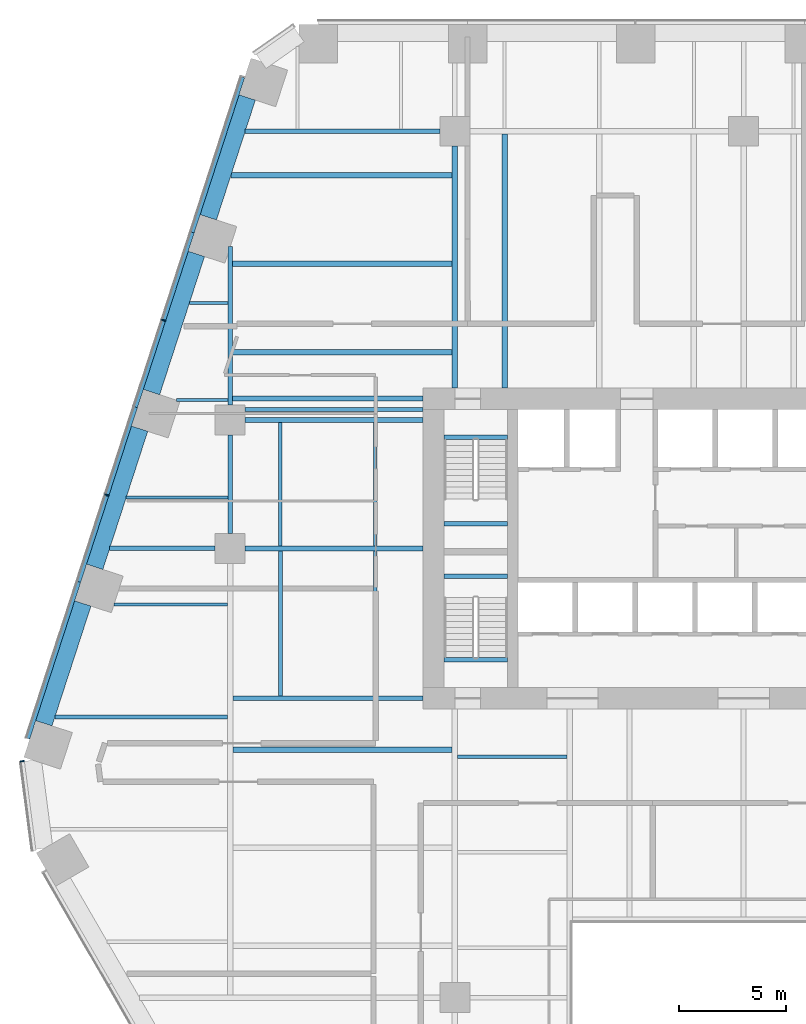
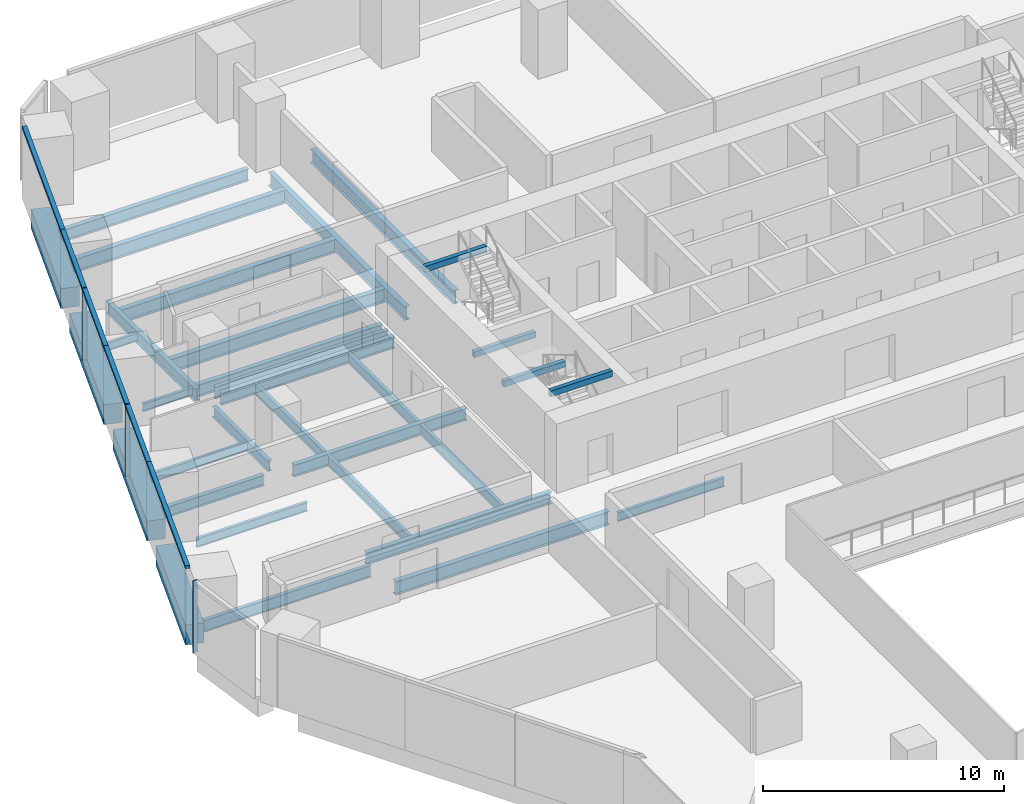
# One storey, part 8 of 20: 33 beams, 9 members, 2 elements without a shape of their own.
"""IFC4 building model written with IfcOpenShell, lengths in metres."""

from ifc_helpers import new_model, si_unit, direction, frame, origin, origin_2d, place, context, subcontext, project, spatial, rectangle, i_section, extrude, material, layer, layer_set, material_profile, profile_set, type_object, element, aggregate, save


model = new_model("IFC4")

# Units and contexts
model_context = context("Model", 3, precision=1e-05, world=origin(), true_north=direction((0.0, 1.0)))
body_context = subcontext(model_context, "Body", "Model", "MODEL_VIEW")
ifc_project = project(units=[si_unit("LENGTHUNIT", "METRE"), si_unit("AREAUNIT", "SQUARE_METRE"), si_unit("VOLUMEUNIT", "CUBIC_METRE"), si_unit("PLANEANGLEUNIT", "RADIAN"), si_unit("MASSUNIT", "GRAM", prefix="KILO")], contexts=[model_context])

# Site, building, storey
site_placement = place(None, origin())
site = spatial("IfcSite", under=ifc_project, at=site_placement, CompositionType="ELEMENT")
building_placement = place(site_placement, origin())
building = spatial("IfcBuilding", under=site, at=building_placement, Name="Isthmus Gate Tower", CompositionType="ELEMENT")
storey_placement = place(building_placement, frame((0.0, 0.0, 65.199951171875)))
storey = spatial("IfcBuildingStorey", under=building, at=storey_placement, Name="L14", CompositionType="ELEMENT", Elevation=65.199951171875)

# Curtain wall, members
ifc_material_1 = material(Name="Aluminium, pale champagne anodised", Category="aluminium")
ifc_layer = layer(ifc_material_1, 0.199951171875)
ifc_layer_set = layer_set([ifc_layer], Name="CW-1 UNITISED CURTAIN WALL 200 DEEP")
curtain_wall_type = type_object("IfcCurtainWallType", Name="CW-1 UNITISED CURTAIN WALL 200 DEEP", PredefinedType="NOTDEFINED", material=ifc_layer_set)
curtain_wall_1_placement = place(storey_placement, origin())
curtain_wall_1 = element("IfcCurtainWall", 1, at=curtain_wall_1_placement, inside=storey, type_object=curtain_wall_type, Name="CW-1 NW L14", PredefinedType="NOTDEFINED")
ifc_material_2 = material(Name="Aluminium, pale champagne anodised", Category="aluminium")
ifc_material_profile_1 = material_profile(ifc_material_2, rectangle(XDim=0.06005859375, YDim=0.199951171875, at=origin_2d()), Name="60x200")
ifc_profile_set_1 = profile_set([ifc_material_profile_1], Name="Aluminium, pale champagne anodised")
member_type_1 = type_object("IfcMemberType", Name="CW-1 MULLION 60 X 200", PredefinedType="MULLION", material=ifc_profile_set_1)
member_1_placement = place(storey_placement, frame((-27.11474609375, 18.163818359375, 0.0), z_axis=(0.0, 0.0, 1.0), x_axis=(-0.309016994375, -0.951056516295, 0.0)))
member_1 = element("IfcMember", 2, at=member_1_placement, type_object=member_type_1, Name="CW-1 mullion", PredefinedType="MULLION", context=body_context, shape_type="SweptSolid", body=[
    extrude(rectangle(XDim=0.06005859375, YDim=0.199951171875, at=origin_2d()), origin(), (0.0, 0.0, 1.0), 3.650146484375),
])
member_2_placement = place(storey_placement, frame((-29.76904296875, 9.994873046875, 0.0), z_axis=(0.0, 0.0, 1.0), x_axis=(-0.309016994375, -0.951056516295, 0.0)))
member_2 = element("IfcMember", 3, at=member_2_placement, type_object=member_type_1, Name="CW-1 mullion", PredefinedType="MULLION", context=body_context, shape_type="SweptSolid", body=[
    extrude(rectangle(XDim=0.06005859375, YDim=0.199951171875, at=origin_2d()), origin(), (0.0, 0.0, 1.0), 3.650146484375),
])

# Curtain wall, member
curtain_wall_2_placement = place(storey_placement, origin())
curtain_wall_2 = element("IfcCurtainWall", 4, at=curtain_wall_2_placement, inside=storey, type_object=curtain_wall_type, Name="CW-1 NW-SW L14", PredefinedType="NOTDEFINED")
member_3_placement = place(storey_placement, frame((-33.722900390625, -2.44482421875, 0.0), z_axis=(0.0, 0.0, 1.0), x_axis=(0.129164534, -0.991623175988, 0.0)))
member_3 = element("IfcMember", 5, at=member_3_placement, type_object=member_type_1, Name="CW-1 mullion", PredefinedType="MULLION", context=body_context, shape_type="SweptSolid", body=[
    extrude(rectangle(XDim=0.06005859375, YDim=0.199951171875, at=origin_2d()), origin(), (0.0, 0.0, 1.0), 3.650146484375),
])
aggregate(curtain_wall_2, [member_3])

# Member
ifc_material_3 = material(Name="Aluminium, pale champagne anodised", Category="aluminium")
ifc_material_profile_2 = material_profile(ifc_material_3, rectangle(XDim=0.199951171875, YDim=0.14990234375, at=origin_2d()), Name="200x150")
ifc_profile_set_2 = profile_set([ifc_material_profile_2], Name="Aluminium, pale champagne anodised")
member_type_2 = type_object("IfcMemberType", Name="CW-1 TRANSOM 200 X 150", PredefinedType="USERDEFINED", material=ifc_profile_set_2)
member_4_placement = place(storey_placement, frame((-23.4208984375, 29.532958984375, 3.574951171875), z_axis=(-0.309018780445, -0.951055935964, 0.0), x_axis=(0.951055935964, -0.309018780445, 0.0)))
member_4 = element("IfcMember", 6, at=member_4_placement, type_object=member_type_2, Name="CW-1 transom", ObjectType="TRANSOM", PredefinedType="USERDEFINED", context=body_context, shape_type="SweptSolid", body=[
    extrude(rectangle(XDim=0.199951171875, YDim=0.14990234375, at=origin_2d()), origin(), (0.0, 0.0, 1.0), 7.629638671875),
])

member_5_placement = place(storey_placement, frame((-25.778564453125, 22.27685546875, 3.574951171875), z_axis=(-0.309021801109, -0.951054954479, 0.0), x_axis=(0.951054954479, -0.309021801109, 0.0)))
member_5 = element("IfcMember", 7, at=member_5_placement, type_object=member_type_2, Name="CW-1 transom", ObjectType="TRANSOM", PredefinedType="USERDEFINED", context=body_context, shape_type="SweptSolid", body=[
    extrude(rectangle(XDim=0.199951171875, YDim=0.14990234375, at=origin_2d()), origin(), (0.0, 0.0, 1.0), 4.294677734375),
])

member_6_placement = place(storey_placement, frame((-27.1240234375, 18.13525390625, 3.574951171875), z_axis=(-0.309023496777, -0.951054403512, 0.0), x_axis=(0.951054403512, -0.309023496777, 0.0)))
member_6 = element("IfcMember", 8, at=member_6_placement, type_object=member_type_2, Name="CW-1 transom", ObjectType="TRANSOM", PredefinedType="USERDEFINED", context=body_context, shape_type="SweptSolid", body=[
    extrude(rectangle(XDim=0.199951171875, YDim=0.14990234375, at=origin_2d()), origin(), (0.0, 0.0, 1.0), 4.234619140625),
])

member_7_placement = place(storey_placement, frame((-28.4326171875, 14.10791015625, 3.574951171875), z_axis=(-0.309021801109, -0.951054954479, 0.0), x_axis=(0.951054954479, -0.309021801109, 0.0)))
member_7 = element("IfcMember", 9, at=member_7_placement, type_object=member_type_2, Name="CW-1 transom", ObjectType="TRANSOM", PredefinedType="USERDEFINED", context=body_context, shape_type="SweptSolid", body=[
    extrude(rectangle(XDim=0.199951171875, YDim=0.14990234375, at=origin_2d()), origin(), (0.0, 0.0, 1.0), 4.294677734375),
])

member_8_placement = place(storey_placement, frame((-29.7783203125, 9.96630859375, 3.574951171875), z_axis=(-0.309023496777, -0.951054403512, 0.0), x_axis=(0.951054403512, -0.309023496777, 0.0)))
member_8 = element("IfcMember", 10, at=member_8_placement, type_object=member_type_2, Name="CW-1 transom", ObjectType="TRANSOM", PredefinedType="USERDEFINED", context=body_context, shape_type="SweptSolid", body=[
    extrude(rectangle(XDim=0.199951171875, YDim=0.14990234375, at=origin_2d()), origin(), (0.0, 0.0, 1.0), 4.234619140625),
])

member_9_placement = place(storey_placement, frame((-31.0869140625, 5.93896484375, 3.574951171875), z_axis=(-0.30902720148, -0.951053199745, 0.0), x_axis=(0.951053199745, -0.30902720148, 0.0)))
member_9 = element("IfcMember", 11, at=member_9_placement, type_object=member_type_2, Name="CW-1 transom", ObjectType="TRANSOM", PredefinedType="USERDEFINED", context=body_context, shape_type="SweptSolid", body=[
    extrude(rectangle(XDim=0.199951171875, YDim=0.14990234375, at=origin_2d()), origin(), (0.0, 0.0, 1.0), 7.689453125),
])

aggregate(curtain_wall_1, [member_4, member_5, member_1, member_6, member_7, member_2, member_8, member_9])

# Beams
ifc_material_4 = material(Name="Concrete f'c 70 MPa", Category="concrete")
ifc_material_profile_3 = material_profile(ifc_material_4, rectangle(XDim=0.800048828125, YDim=1.0, at=origin_2d()), Name="RC 800X1000")
ifc_profile_set_3 = profile_set([ifc_material_profile_3], Name="Concrete f'c 70 MPa")
beam_type_1 = type_object("IfcBeamType", Name="RC SPANDREL 800 X 1000", PredefinedType="SPANDREL", material=ifc_profile_set_3)
beam_1_placement = place(storey_placement, frame((-32.70947265625, -0.672607421875, -0.5), z_axis=(0.309005457803, 0.951060264677, 0.0), x_axis=(-0.951060264677, 0.309005457803, 0.0)))
element("IfcBeam", 12, at=beam_1_placement, inside=storey, type_object=beam_type_1, Name="str-spandrel-L14-18", PredefinedType="SPANDREL", context=body_context, shape_type="SweptSolid", body=[
    extrude(rectangle(XDim=0.800048828125, YDim=1.0, at=origin_2d()), origin(), (0.0, 0.0, 1.0), 5.889404296875),
])
for number, where, z_axis, x_axis, name in (
    (13, (-30.333251953125, 6.640380859375, -0.5), (0.30900150794, 0.951061548004, 0.0), (-0.951061548004, 0.30900150794, 0.0), "str-spandrel-L14-19"),
    (14, (-27.67919921875, 14.809326171875, -0.5), (0.309034033576, 0.951050979754, 0.0), (-0.951050979754, 0.309034033576, 0.0), "str-spandrel-L14-20"),
):
    element("IfcBeam", number, at=place(storey_placement, frame(where, z_axis=z_axis, x_axis=x_axis)), inside=storey, type_object=beam_type_1, Name=name, PredefinedType="SPANDREL", context=body_context, shape_type="SweptSolid", body=[
        extrude(rectangle(XDim=0.800048828125, YDim=1.0, at=origin_2d()), origin(), (0.0, 0.0, 1.0), 6.789306640625),
    ])
beam_2_placement = place(storey_placement, frame((-25.02490234375, 22.978271484375, -0.5), z_axis=(0.309042953764, 0.951048081187, 0.0), x_axis=(-0.951048081187, 0.309042953764, 0.0)))
element("IfcBeam", 15, at=beam_2_placement, inside=storey, type_object=beam_type_1, Name="str-spandrel-L14-21", PredefinedType="SPANDREL", context=body_context, shape_type="SweptSolid", body=[
    extrude(rectangle(XDim=0.800048828125, YDim=1.0, at=origin_2d()), origin(), (0.0, 0.0, 1.0), 5.889404296875),
])
ifc_material_5 = material(Name="Concrete f'c 40 MPa", Category="concrete")
ifc_material_profile_4 = material_profile(ifc_material_5, rectangle(XDim=0.199951171875, YDim=0.300048828125, at=origin_2d()), Name="STAIR LANDING BEAM RC 200 X 300")
ifc_profile_set_4 = profile_set([ifc_material_profile_4], Name="Concrete f'c 40 MPa")
beam_type_2 = type_object("IfcBeamType", Name="STAIR LANDING BEAM RC 200 X 300", PredefinedType="BEAM", material=ifc_profile_set_4)
for number, where, z_axis, x_axis, name in (
    (16, (-14.0, 8.64990234375, 1.47509765625), (1.0, 0.0, 0.0), (0.0, 1.0, 0.0), "L14 ST1 landing beam 1"),
    (17, (-14.0, 12.7001953125, 3.35009765625), (1.0, 0.0, 0.0), (0.0, 1.0, 0.0), "L14 ST1 floor-edge seat beam"),
    (18, (-14.0, 6.199951171875, 1.47509765625), (1.0, 0.0, 0.0), (0.0, 1.0, 0.0), "L14 ST7 landing beam 1"),
    (19, (-14.0, 2.2998046875, 3.35009765625), (1.0, 0.0, 0.0), (0.0, 1.0, 0.0), "L14 ST7 floor-edge seat beam"),
):
    element("IfcBeam", number, at=place(storey_placement, frame(where, z_axis=z_axis, x_axis=x_axis)), inside=storey, type_object=beam_type_2, Name=name, PredefinedType="BEAM", context=body_context, shape_type="SweptSolid", body=[
        extrude(rectangle(XDim=0.199951171875, YDim=0.300048828125, at=origin_2d()), origin(), (0.0, 0.0, 1.0), 2.949951171875),
    ])
ifc_material_6 = material(Name="Structural steel ASTM A992 Gr 50", Category="steel")
ifc_material_profile_5 = material_profile(ifc_material_6, i_section(OverallWidth=0.1396484375, OverallDepth=0.4033203125, WebThickness=0.00634765625, FlangeThickness=0.010986328125, at=origin_2d()), Name="W16X31")
ifc_profile_set_5 = profile_set([ifc_material_profile_5], Name="Structural steel ASTM A992 Gr 50")
beam_type_3 = type_object("IfcBeamType", Name="STEEL FLOOR BEAM W16X31", PredefinedType="JOIST", material=ifc_profile_set_5)
beam_3_placement = place(storey_placement, frame((-26.503662109375, 14.427490234375, -0.3515625), z_axis=(1.0, 0.0, 0.0), x_axis=(0.0, 1.0, 0.0)))
element("IfcBeam", 20, at=beam_3_placement, inside=storey, type_object=beam_type_3, Name="str-beam-L14-01-01", PredefinedType="JOIST", context=body_context, shape_type="SweptSolid", body=[
    extrude(i_section(OverallWidth=0.1396484375, OverallDepth=0.4033203125, WebThickness=0.00634765625, FlangeThickness=0.010986328125, at=origin_2d()), origin(), (0.0, 0.0, 1.0), 2.389404296875),
])
beam_4_placement = place(storey_placement, frame((-25.90478515625, 18.975830078125, -0.3515625), z_axis=(1.0, 0.0, 0.0), x_axis=(0.0, 1.0, 0.0)))
element("IfcBeam", 21, at=beam_4_placement, inside=storey, type_object=beam_type_3, Name="str-beam-L14-01-02", PredefinedType="JOIST", context=body_context, shape_type="SweptSolid", body=[
    extrude(i_section(OverallWidth=0.1396484375, OverallDepth=0.4033203125, WebThickness=0.00634765625, FlangeThickness=0.010986328125, at=origin_2d()), origin(), (0.0, 0.0, 1.0), 1.79052734375),
])
ifc_material_7 = material(Name="Structural steel ASTM A992 Gr 50", Category="steel")
ifc_material_profile_6 = material_profile(ifc_material_7, i_section(OverallWidth=0.15234375, OverallDepth=0.45068359375, WebThickness=0.0078125, FlangeThickness=0.010986328125, at=origin_2d()), Name="W18X35")
ifc_profile_set_6 = profile_set([ifc_material_profile_6], Name="Structural steel ASTM A992 Gr 50")
beam_type_4 = type_object("IfcBeamType", Name="STEEL FLOOR BEAM W18X35", PredefinedType="JOIST", material=ifc_profile_set_6)
beam_5_placement = place(storey_placement, frame((-29.434814453125, 4.875, -0.375244140625), z_axis=(1.0, 0.0, 0.0), x_axis=(0.0, 1.0, 0.0)))
element("IfcBeam", 22, at=beam_5_placement, inside=storey, type_object=beam_type_4, Name="str-beam-L14-00-03", PredefinedType="JOIST", context=body_context, shape_type="SweptSolid", body=[
    extrude(i_section(OverallWidth=0.15234375, OverallDepth=0.45068359375, WebThickness=0.0078125, FlangeThickness=0.010986328125, at=origin_2d()), origin(), (0.0, 0.0, 1.0), 5.301513671875),
])
beam_6_placement = place(storey_placement, frame((-28.860595703125, 9.87890625, -0.375244140625), z_axis=(1.0, 0.0, 0.0), x_axis=(0.0, 1.0, 0.0)))
element("IfcBeam", 23, at=beam_6_placement, inside=storey, type_object=beam_type_4, Name="str-beam-L14-01-00", PredefinedType="JOIST", context=body_context, shape_type="SweptSolid", body=[
    extrude(i_section(OverallWidth=0.15234375, OverallDepth=0.45068359375, WebThickness=0.0078125, FlangeThickness=0.010986328125, at=origin_2d()), origin(), (0.0, 0.0, 1.0), 4.755859375),
])
beam_7_placement = place(storey_placement, frame((-13.3681640625, -2.232421875, -0.375244140625), z_axis=(1.0, 0.0, 0.0), x_axis=(0.0, 1.0, 0.0)))
element("IfcBeam", 24, at=beam_7_placement, inside=storey, type_object=beam_type_4, Name="str-beam-L14-11-02", PredefinedType="JOIST", context=body_context, shape_type="SweptSolid", body=[
    extrude(i_section(OverallWidth=0.15234375, OverallDepth=0.45068359375, WebThickness=0.0078125, FlangeThickness=0.010986328125, at=origin_2d()), origin(), (0.0, 0.0, 1.0), 5.1015625),
])
ifc_material_8 = material(Name="Structural steel ASTM A992 Gr 50", Category="steel")
ifc_material_profile_7 = material_profile(ifc_material_8, i_section(OverallWidth=0.1650390625, OverallDepth=0.52392578125, WebThickness=0.009521484375, FlangeThickness=0.010986328125, at=origin_2d()), Name="W21X44")
ifc_profile_set_7 = profile_set([ifc_material_profile_7], Name="Structural steel ASTM A992 Gr 50")
beam_type_5 = type_object("IfcBeamType", Name="STEEL FLOOR BEAM W21X44", PredefinedType="JOIST", material=ifc_profile_set_7)
for number, where, z_axis, x_axis, name in (
    (25, (-21.64990234375, 0.6142578125, -0.411865234375), (0.0, 1.0, 0.0), (-1.0, 0.0, 0.0), "str-beam-L14-02-00"),
    (26, (-17.216552734375, 0.6142578125, -0.411865234375), (0.0, 1.0, 0.0), (-1.0, 0.0, 0.0), "str-beam-L14-02-01"),
):
    element("IfcBeam", number, at=place(storey_placement, frame(where, z_axis=z_axis, x_axis=x_axis)), inside=storey, type_object=beam_type_5, Name=name, PredefinedType="JOIST", context=body_context, shape_type="SweptSolid", body=[
        extrude(i_section(OverallWidth=0.1650390625, OverallDepth=0.52392578125, WebThickness=0.009521484375, FlangeThickness=0.010986328125, at=origin_2d()), origin(), (0.0, 0.0, 1.0), 6.771484375),
    ])
for number, where, z_axis, x_axis, name in (
    (27, (-21.67138671875, 7.6142578125, -0.411865234375), (0.0, 1.0, 0.0), (-1.0, 0.0, 0.0), "str-beam-L14-03-00"),
    (28, (-17.223876953125, 7.6142578125, -0.411865234375), (0.0, 1.0, 0.0), (-1.0, 0.0, 0.0), "str-beam-L14-03-01"),
):
    element("IfcBeam", number, at=place(storey_placement, frame(where, z_axis=z_axis, x_axis=x_axis)), inside=storey, type_object=beam_type_5, Name=name, PredefinedType="JOIST", context=body_context, shape_type="SweptSolid", body=[
        extrude(i_section(OverallWidth=0.1650390625, OverallDepth=0.52392578125, WebThickness=0.009521484375, FlangeThickness=0.010986328125, at=origin_2d()), origin(), (0.0, 0.0, 1.0), 5.771484375),
    ])
ifc_material_9 = material(Name="Structural steel ASTM A992 Gr 50", Category="steel")
ifc_material_profile_8 = material_profile(ifc_material_9, i_section(OverallWidth=0.177734375, OverallDepth=0.60009765625, WebThickness=0.009521484375, FlangeThickness=0.0126953125, at=origin_2d()), Name="W24X55")
ifc_profile_set_8 = profile_set([ifc_material_profile_8], Name="Structural steel ASTM A992 Gr 50")
beam_type_6 = type_object("IfcBeamType", Name="STEEL FLOOR BEAM W24X55", PredefinedType="JOIST", material=ifc_profile_set_8)
beam_8_placement = place(storey_placement, frame((-32.192138671875, -0.375, -0.449951171875), z_axis=(1.0, 0.0, 0.0), x_axis=(0.0, 1.0, 0.0)))
element("IfcBeam", 29, at=beam_8_placement, inside=storey, type_object=beam_type_6, Name="str-beam-L14-00-02", PredefinedType="JOIST", context=body_context, shape_type="SweptSolid", body=[
    extrude(i_section(OverallWidth=0.177734375, OverallDepth=0.60009765625, WebThickness=0.009521484375, FlangeThickness=0.0126953125, at=origin_2d()), origin(), (0.0, 0.0, 1.0), 8.058837890625),
])
beam_9_placement = place(storey_placement, frame((-23.300048828125, 14.0, -0.449951171875), z_axis=(1.0, 0.0, 0.0), x_axis=(0.0, 1.0, 0.0)))
element("IfcBeam", 30, at=beam_9_placement, inside=storey, type_object=beam_type_6, Name="str-beam-L14-04-00", PredefinedType="JOIST", context=body_context, shape_type="SweptSolid", body=[
    extrude(i_section(OverallWidth=0.177734375, OverallDepth=0.60009765625, WebThickness=0.009521484375, FlangeThickness=0.0126953125, at=origin_2d()), origin(), (0.0, 0.0, 1.0), 8.300048828125),
])
ifc_material_10 = material(Name="Structural steel ASTM A992 Gr 50", Category="steel")
ifc_material_profile_9 = material_profile(ifc_material_10, i_section(OverallWidth=0.25390625, OverallDepth=0.679443359375, WebThickness=0.010986328125, FlangeThickness=0.015869140625, at=origin_2d()), Name="W27X84")
ifc_profile_set_9 = profile_set([ifc_material_profile_9], Name="Structural steel ASTM A992 Gr 50")
beam_type_7 = type_object("IfcBeamType", Name="STEEL FLOOR BEAM W27X84", PredefinedType="JOIST", material=ifc_profile_set_9)
for number, where, z_axis, x_axis, name in (
    (31, (-23.8857421875, 16.678466796875, -0.48974609375), (1.0, 0.0, 0.0), (0.0, 1.0, 0.0), "str-beam-L14-06-00"),
    (32, (-23.8857421875, 20.80712890625, -0.48974609375), (1.0, 0.0, 0.0), (0.0, 1.0, 0.0), "str-beam-L14-06-01"),
):
    element("IfcBeam", number, at=place(storey_placement, frame(where, z_axis=z_axis, x_axis=x_axis)), inside=storey, type_object=beam_type_7, Name=name, PredefinedType="JOIST", context=body_context, shape_type="SweptSolid", body=[
        extrude(i_section(OverallWidth=0.25390625, OverallDepth=0.679443359375, WebThickness=0.010986328125, FlangeThickness=0.015869140625, at=origin_2d()), origin(), (0.0, 0.0, 1.0), 10.2587890625),
    ])
beam_10_placement = place(storey_placement, frame((-23.96826171875, 24.935791015625, -0.48974609375), z_axis=(1.0, 0.0, 0.0), x_axis=(0.0, 1.0, 0.0)))
element("IfcBeam", 33, at=beam_10_placement, inside=storey, type_object=beam_type_7, Name="str-beam-L14-06-02", PredefinedType="JOIST", context=body_context, shape_type="SweptSolid", body=[
    extrude(i_section(OverallWidth=0.25390625, OverallDepth=0.679443359375, WebThickness=0.010986328125, FlangeThickness=0.015869140625, at=origin_2d()), origin(), (0.0, 0.0, 1.0), 10.34130859375),
])
beam_11_placement = place(storey_placement, frame((-23.86669921875, -1.90625, -0.48974609375), z_axis=(1.0, 0.0, 0.0), x_axis=(0.0, 1.0, 0.0)))
element("IfcBeam", 34, at=beam_11_placement, inside=storey, type_object=beam_type_7, Name="str-beam-L14-07-02", PredefinedType="JOIST", context=body_context, shape_type="SweptSolid", body=[
    extrude(i_section(OverallWidth=0.25390625, OverallDepth=0.679443359375, WebThickness=0.010986328125, FlangeThickness=0.015869140625, at=origin_2d()), origin(), (0.0, 0.0, 1.0), 10.23486328125),
])
beam_12_placement = place(storey_placement, frame((-11.165283203125, 15.0, -0.48974609375), z_axis=(0.0, 1.0, 0.0), x_axis=(-1.0, 0.0, 0.0)))
element("IfcBeam", 35, at=beam_12_placement, inside=storey, type_object=beam_type_7, Name="str-beam-L14-13-00", PredefinedType="JOIST", context=body_context, shape_type="SweptSolid", body=[
    extrude(i_section(OverallWidth=0.25390625, OverallDepth=0.679443359375, WebThickness=0.010986328125, FlangeThickness=0.015869140625, at=origin_2d()), origin(), (0.0, 0.0, 1.0), 11.8681640625),
])
ifc_material_11 = material(Name="Structural steel ASTM A992 Gr 50", Category="steel")
ifc_material_profile_10 = material_profile(ifc_material_11, i_section(OverallWidth=0.20947265625, OverallDepth=0.533447265625, WebThickness=0.009521484375, FlangeThickness=0.015869140625, at=origin_2d()), Name="W21X62")
ifc_profile_set_10 = profile_set([ifc_material_profile_10], Name="Structural steel ASTM A992 Gr 50")
beam_type_8 = type_object("IfcBeamType", Name="STEEL GIRDER W21X62", PredefinedType="BEAM", material=ifc_profile_set_10)
beam_13_placement = place(storey_placement, frame((-29.633544921875, 7.5, -0.416748046875), z_axis=(1.0, 0.0, 0.0), x_axis=(0.0, 1.0, 0.0)))
element("IfcBeam", 36, at=beam_13_placement, inside=storey, type_object=beam_type_8, Name="str-girder-L14-09", PredefinedType="BEAM", context=body_context, shape_type="SweptSolid", body=[
    extrude(i_section(OverallWidth=0.20947265625, OverallDepth=0.533447265625, WebThickness=0.009521484375, FlangeThickness=0.015869140625, at=origin_2d()), origin(), (0.0, 0.0, 1.0), 4.93359375),
])
beam_14_placement = place(storey_placement, frame((-24.0, 8.199951171875, -0.416748046875), z_axis=(0.0, 1.0, 0.0), x_axis=(-1.0, 0.0, 0.0)))
element("IfcBeam", 37, at=beam_14_placement, inside=storey, type_object=beam_type_8, Name="str-girder-L14-21", PredefinedType="BEAM", context=body_context, shape_type="SweptSolid", body=[
    extrude(i_section(OverallWidth=0.20947265625, OverallDepth=0.533447265625, WebThickness=0.009521484375, FlangeThickness=0.015869140625, at=origin_2d()), origin(), (0.0, 0.0, 1.0), 4.60009765625),
])
ifc_material_12 = material(Name="Structural steel ASTM A992 Gr 50", Category="steel")
ifc_material_profile_11 = material_profile(ifc_material_12, i_section(OverallWidth=0.228515625, OverallDepth=0.603271484375, WebThickness=0.010986328125, FlangeThickness=0.014404296875, at=origin_2d()), Name="W24X68")
ifc_profile_set_11 = profile_set([ifc_material_profile_11], Name="Structural steel ASTM A992 Gr 50")
beam_type_9 = type_object("IfcBeamType", Name="STEEL GIRDER W24X68", PredefinedType="BEAM", material=ifc_profile_set_11)
beam_15_placement = place(storey_placement, frame((-24.0, 14.199951171875, -0.45166015625), z_axis=(0.0, 1.0, 0.0), x_axis=(-1.0, 0.0, 0.0)))
element("IfcBeam", 38, at=beam_15_placement, inside=storey, type_object=beam_type_9, Name="str-girder-L14-22", PredefinedType="BEAM", context=body_context, shape_type="SweptSolid", body=[
    extrude(i_section(OverallWidth=0.228515625, OverallDepth=0.603271484375, WebThickness=0.010986328125, FlangeThickness=0.014404296875, at=origin_2d()), origin(), (0.0, 0.0, 1.0), 7.402099609375),
])
ifc_material_13 = material(Name="Structural steel ASTM A992 Gr 50", Category="steel")
ifc_material_profile_12 = material_profile(ifc_material_13, i_section(OverallWidth=0.228515625, OverallDepth=0.6064453125, WebThickness=0.010986328125, FlangeThickness=0.017578125, at=origin_2d()), Name="W24X76")
ifc_profile_set_12 = profile_set([ifc_material_profile_12], Name="Structural steel ASTM A992 Gr 50")
beam_type_10 = type_object("IfcBeamType", Name="STEEL GIRDER W24X76", PredefinedType="BEAM", material=ifc_profile_set_12)
for number, where, z_axis, x_axis, name in (
    (39, (-23.300048828125, 7.5, -0.453125), (1.0, 0.0, 0.0), (0.0, 1.0, 0.0), "str-girder-L14-10"),
    (40, (-23.300048828125, 13.5, -0.453125), (1.0, 0.0, 0.0), (0.0, 1.0, 0.0), "str-girder-L14-13"),
):
    element("IfcBeam", number, at=place(storey_placement, frame(where, z_axis=z_axis, x_axis=x_axis)), inside=storey, type_object=beam_type_10, Name=name, PredefinedType="BEAM", context=body_context, shape_type="SweptSolid", body=[
        extrude(i_section(OverallWidth=0.228515625, OverallDepth=0.6064453125, WebThickness=0.010986328125, FlangeThickness=0.017578125, at=origin_2d()), origin(), (0.0, 0.0, 1.0), 8.300048828125),
    ])
beam_16_placement = place(storey_placement, frame((-23.297607421875, 27.0, -0.453125), z_axis=(1.0, 0.0, 0.0), x_axis=(0.0, 1.0, 0.0)))
element("IfcBeam", 41, at=beam_16_placement, inside=storey, type_object=beam_type_10, Name="str-girder-L14-16", PredefinedType="BEAM", context=body_context, shape_type="SweptSolid", body=[
    extrude(i_section(OverallWidth=0.228515625, OverallDepth=0.6064453125, WebThickness=0.010986328125, FlangeThickness=0.017578125, at=origin_2d()), origin(), (0.0, 0.0, 1.0), 9.09765625),
])
beam_17_placement = place(storey_placement, frame((-15.0, 0.5, -0.453125), z_axis=(-1.0, 0.0, 0.0), x_axis=(0.0, -1.0, 0.0)))
element("IfcBeam", 42, at=beam_17_placement, inside=storey, type_object=beam_type_10, Name="str-girder-L14-38", PredefinedType="BEAM", context=body_context, shape_type="SweptSolid", body=[
    extrude(i_section(OverallWidth=0.228515625, OverallDepth=0.6064453125, WebThickness=0.010986328125, FlangeThickness=0.017578125, at=origin_2d()), origin(), (0.0, 0.0, 1.0), 8.86669921875),
])
beam_18_placement = place(storey_placement, frame((-15.0, 14.5, -0.453125), z_axis=(-1.0, 0.0, 0.0), x_axis=(0.0, -1.0, 0.0)))
element("IfcBeam", 43, at=beam_18_placement, inside=storey, type_object=beam_type_10, Name="str-girder-L14-40", PredefinedType="BEAM", context=body_context, shape_type="SweptSolid", body=[
    extrude(i_section(OverallWidth=0.228515625, OverallDepth=0.6064453125, WebThickness=0.010986328125, FlangeThickness=0.017578125, at=origin_2d()), origin(), (0.0, 0.0, 1.0), 8.8857421875),
])
ifc_material_14 = material(Name="Structural steel ASTM A992 Gr 50", Category="steel")
ifc_material_profile_13 = material_profile(ifc_material_14, i_section(OverallWidth=0.25390625, OverallDepth=0.679443359375, WebThickness=0.010986328125, FlangeThickness=0.015869140625, at=origin_2d()), Name="W27X84")
ifc_profile_set_13 = profile_set([ifc_material_profile_13], Name="Structural steel ASTM A992 Gr 50")
beam_type_11 = type_object("IfcBeamType", Name="STEEL GIRDER W27X84", PredefinedType="BEAM", material=ifc_profile_set_13)
beam_19_placement = place(storey_placement, frame((-13.5, 15.0, -0.48974609375), z_axis=(0.0, 1.0, 0.0), x_axis=(-1.0, 0.0, 0.0)))
element("IfcBeam", 44, at=beam_19_placement, inside=storey, type_object=beam_type_11, Name="str-girder-L14-26", PredefinedType="BEAM", context=body_context, shape_type="SweptSolid", body=[
    extrude(i_section(OverallWidth=0.25390625, OverallDepth=0.679443359375, WebThickness=0.010986328125, FlangeThickness=0.015869140625, at=origin_2d()), origin(), (0.0, 0.0, 1.0), 11.300048828125),
])

save(model, "model.ifc")
